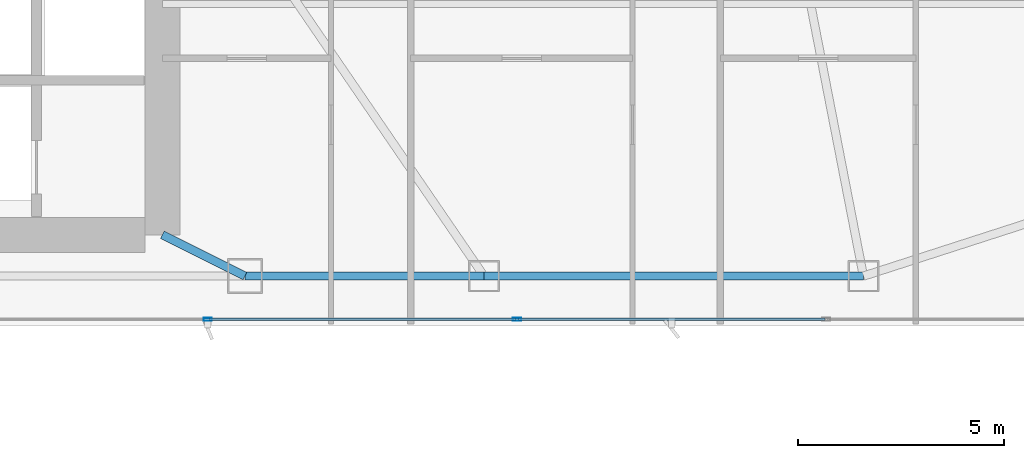
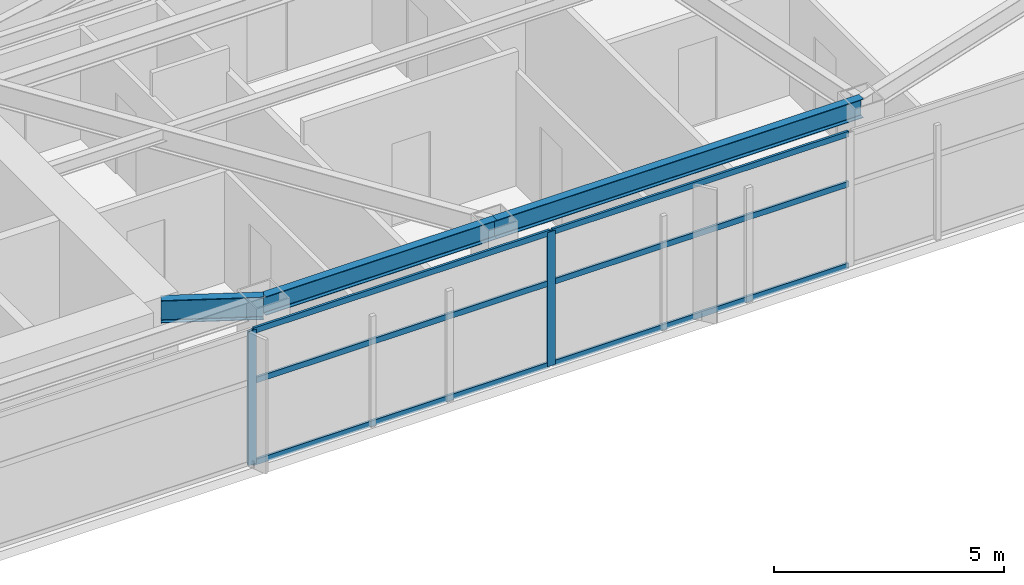
# One storey, part 12 of 28: 8 members, 3 beams, 1 element without a shape of its own.
"""IFC4 building model written with IfcOpenShell, lengths in metres."""

from ifc_helpers import new_model, si_unit, direction, frame, origin, origin_2d, place, context, subcontext, project, spatial, hollow_rectangle, i_section, extrude, material, layer, layer_set, material_profile, profile_set, type_object, element, aggregate, save


model = new_model("IFC4")

# Units and contexts
model_context = context("Model", 3, precision=1e-05, world=origin(), true_north=direction((0.0, 1.0)))
body_context = subcontext(model_context, "Body", "Model", "MODEL_VIEW")
ifc_project = project(units=[si_unit("LENGTHUNIT", "METRE"), si_unit("AREAUNIT", "SQUARE_METRE"), si_unit("VOLUMEUNIT", "CUBIC_METRE"), si_unit("PLANEANGLEUNIT", "RADIAN"), si_unit("MASSUNIT", "GRAM", prefix="KILO")], contexts=[model_context])

# Site, building, storey
site_placement = place(None, origin())
site = spatial("IfcSite", under=ifc_project, at=site_placement, CompositionType="ELEMENT")
building_placement = place(site_placement, origin())
building = spatial("IfcBuilding", under=site, at=building_placement, Name="Calvorn Quay Hotel", CompositionType="ELEMENT")
storey_placement = place(building_placement, frame((0.0, 0.0, 152.300048828125)))
storey = spatial("IfcBuildingStorey", under=building, at=storey_placement, Name="L37", CompositionType="ELEMENT", Elevation=152.300048828125)

# Beams
ifc_material_1 = material(Name="Steel Q355B", Category="steel")
ifc_material_profile_1 = material_profile(ifc_material_1, i_section(OverallWidth=0.199951171875, OverallDepth=0.60009765625, WebThickness=0.010986328125, FlangeThickness=0.01708984375, FilletRadius=0.01806640625, at=origin_2d()), Name="HN600x200x11x17")
ifc_profile_set_1 = profile_set([ifc_material_profile_1], Name="Steel Q355B")
beam_type_1 = type_object("IfcBeamType", Name="BM-GIRD-TYP", PredefinedType="BEAM", material=ifc_profile_set_1)
beam_1_placement = place(storey_placement, frame((34.39990234375, 3.60009765625, 3.239990234375), z_axis=(-0.894427191, 0.4472135955, 0.0), x_axis=(-0.4472135955, -0.894427191, 0.0)))
element("IfcBeam", 1, at=beam_1_placement, inside=storey, type_object=beam_type_1, Name="Beam BG-L37-S3", PredefinedType="BEAM", context=body_context, shape_type="SweptSolid", body=[
    extrude(i_section(OverallWidth=0.199951171875, OverallDepth=0.60009765625, WebThickness=0.010986328125, FlangeThickness=0.01708984375, FilletRadius=0.01806640625, at=origin_2d()), origin(), (0.0, 0.0, 1.0), 2.236083984375),
])
ifc_material_2 = material(Name="Steel Q355B", Category="steel")
ifc_material_profile_2 = material_profile(ifc_material_2, i_section(OverallWidth=0.199951171875, OverallDepth=0.5, WebThickness=0.010009765625, FlangeThickness=0.01611328125, FilletRadius=0.01611328125, at=origin_2d()), Name="HN500x200x10x16")
ifc_profile_set_2 = profile_set([ifc_material_profile_2], Name="Steel Q355B")
beam_type_2 = type_object("IfcBeamType", Name="BM-SPANDREL-Z1", PredefinedType="SPANDREL", material=ifc_profile_set_2)
beam_2_placement = place(storey_placement, frame((34.39990234375, 3.60009765625, 3.2900390625), z_axis=(1.0, 0.0, 0.0), x_axis=(0.0, 1.0, 0.0)))
element("IfcBeam", 2, at=beam_2_placement, inside=storey, type_object=beam_type_2, Name="Beam BSP-L37-S4", PredefinedType="SPANDREL", context=body_context, shape_type="SweptSolid", body=[
    extrude(i_section(OverallWidth=0.199951171875, OverallDepth=0.5, WebThickness=0.010009765625, FlangeThickness=0.01611328125, FilletRadius=0.01611328125, at=origin_2d()), origin(), (0.0, 0.0, 1.0), 5.800048828125),
])
beam_3_placement = place(storey_placement, frame((40.199951171875, 3.60009765625, 3.2900390625), z_axis=(1.0, 0.0, 0.0), x_axis=(0.0, 1.0, 0.0)))
element("IfcBeam", 3, at=beam_3_placement, inside=storey, type_object=beam_type_2, Name="Beam BSP-L37-S5", PredefinedType="SPANDREL", context=body_context, shape_type="SweptSolid", body=[
    extrude(i_section(OverallWidth=0.199951171875, OverallDepth=0.5, WebThickness=0.010009765625, FlangeThickness=0.01611328125, FilletRadius=0.01611328125, at=origin_2d()), origin(), (0.0, 0.0, 1.0), 9.199951171875),
])

# Curtain wall, members
ifc_material_3 = material(Name="Pale Anodised Aluminium and Low-E Glass", Category="aluminium")
ifc_layer = layer(ifc_material_3, 0.219970703125)
ifc_layer_set = layer_set([ifc_layer], Name="CW-SYS-Z2")
curtain_wall_type = type_object("IfcCurtainWallType", Name="CW-SYS-Z2", PredefinedType="NOTDEFINED", material=ifc_layer_set)
curtain_wall_placement = place(storey_placement, origin())
curtain_wall = element("IfcCurtainWall", 4, at=curtain_wall_placement, inside=storey, type_object=curtain_wall_type, Name="Tower South Waterfront Curtain Wall (L37)", PredefinedType="NOTDEFINED")
ifc_material_4 = material(Name="Pale Anodised Aluminium 6063-T6", Category="aluminium")
ifc_material_profile_3 = material_profile(ifc_material_4, hollow_rectangle(XDim=0.070068359375, YDim=0.199951171875, WallThickness=0.00390625, at=origin_2d()), Name="ALU-M200x70x4")
ifc_profile_set_3 = profile_set([ifc_material_profile_3], Name="Pale Anodised Aluminium 6063-T6")
member_type_1 = type_object("IfcMemberType", Name="CW-SYS-Z2-MUL", PredefinedType="MULLION", material=ifc_profile_set_3)
member_1_placement = place(storey_placement, frame((33.5, 2.550048828125, 0.0), z_axis=(0.0, 0.0, 1.0), x_axis=(0.0, 1.0, 0.0)))
member_1 = element("IfcMember", 5, at=member_1_placement, type_object=member_type_1, Name="CW-L37-S mullion 4", PredefinedType="MULLION", context=body_context, shape_type="SweptSolid", body=[
    extrude(hollow_rectangle(XDim=0.070068359375, YDim=0.199951171875, WallThickness=0.00390625, at=origin_2d()), origin(), (0.0, 0.0, 1.0), 3.56005859375),
])
member_2_placement = place(storey_placement, frame((41.0, 2.550048828125, 0.0), z_axis=(0.0, 0.0, 1.0), x_axis=(0.0, 1.0, 0.0)))
member_2 = element("IfcMember", 6, at=member_2_placement, type_object=member_type_1, Name="CW-L37-S mullion 5", PredefinedType="MULLION", context=body_context, shape_type="SweptSolid", body=[
    extrude(hollow_rectangle(XDim=0.070068359375, YDim=0.199951171875, WallThickness=0.00390625, at=origin_2d()), origin(), (0.0, 0.0, 1.0), 3.56005859375),
])
ifc_material_5 = material(Name="Pale Anodised Aluminium 6063-T6", Category="aluminium")
ifc_material_profile_4 = material_profile(ifc_material_5, hollow_rectangle(XDim=0.06005859375, YDim=0.14990234375, WallThickness=0.00341796875, at=origin_2d()), Name="ALU-T150x60x3.5")
ifc_profile_set_4 = profile_set([ifc_material_profile_4], Name="Pale Anodised Aluminium 6063-T6")
member_type_2 = type_object("IfcMemberType", Name="CW-SYS-Z2-TRN", PredefinedType="USERDEFINED", material=ifc_profile_set_4)
member_3_placement = place(storey_placement, frame((33.530029296875, 2.550048828125, 0.030029296875), z_axis=(1.0, 0.0, 0.0), x_axis=(0.0, 1.0, 0.0)))
member_3 = element("IfcMember", 7, at=member_3_placement, type_object=member_type_2, Name="CW-L37-S transom 4.1", ObjectType="TRANSOM", PredefinedType="USERDEFINED", context=body_context, shape_type="SweptSolid", body=[
    extrude(hollow_rectangle(XDim=0.06005859375, YDim=0.14990234375, WallThickness=0.00341796875, at=origin_2d()), origin(), (0.0, 0.0, 1.0), 7.43994140625),
])
member_4_placement = place(storey_placement, frame((33.530029296875, 2.550048828125, 2.199951171875), z_axis=(1.0, 0.0, 0.0), x_axis=(0.0, 1.0, 0.0)))
member_4 = element("IfcMember", 8, at=member_4_placement, type_object=member_type_2, Name="CW-L37-S transom 4.2", ObjectType="TRANSOM", PredefinedType="USERDEFINED", context=body_context, shape_type="SweptSolid", body=[
    extrude(hollow_rectangle(XDim=0.06005859375, YDim=0.14990234375, WallThickness=0.00341796875, at=origin_2d()), origin(), (0.0, 0.0, 1.0), 7.43994140625),
])
member_5_placement = place(storey_placement, frame((33.530029296875, 2.550048828125, 3.530029296875), z_axis=(1.0, 0.0, 0.0), x_axis=(0.0, 1.0, 0.0)))
member_5 = element("IfcMember", 9, at=member_5_placement, type_object=member_type_2, Name="CW-L37-S transom 4.3", ObjectType="TRANSOM", PredefinedType="USERDEFINED", context=body_context, shape_type="SweptSolid", body=[
    extrude(hollow_rectangle(XDim=0.06005859375, YDim=0.14990234375, WallThickness=0.00341796875, at=origin_2d()), origin(), (0.0, 0.0, 1.0), 7.43994140625),
])
member_6_placement = place(storey_placement, frame((41.030029296875, 2.550048828125, 0.030029296875), z_axis=(1.0, 0.0, 0.0), x_axis=(0.0, 1.0, 0.0)))
member_6 = element("IfcMember", 10, at=member_6_placement, type_object=member_type_2, Name="CW-L37-S transom 5.1", ObjectType="TRANSOM", PredefinedType="USERDEFINED", context=body_context, shape_type="SweptSolid", body=[
    extrude(hollow_rectangle(XDim=0.06005859375, YDim=0.14990234375, WallThickness=0.00341796875, at=origin_2d()), origin(), (0.0, 0.0, 1.0), 7.43994140625),
])
member_7_placement = place(storey_placement, frame((41.030029296875, 2.550048828125, 2.199951171875), z_axis=(1.0, 0.0, 0.0), x_axis=(0.0, 1.0, 0.0)))
member_7 = element("IfcMember", 11, at=member_7_placement, type_object=member_type_2, Name="CW-L37-S transom 5.2", ObjectType="TRANSOM", PredefinedType="USERDEFINED", context=body_context, shape_type="SweptSolid", body=[
    extrude(hollow_rectangle(XDim=0.06005859375, YDim=0.14990234375, WallThickness=0.00341796875, at=origin_2d()), origin(), (0.0, 0.0, 1.0), 7.43994140625),
])
member_8_placement = place(storey_placement, frame((41.030029296875, 2.550048828125, 3.530029296875), z_axis=(1.0, 0.0, 0.0), x_axis=(0.0, 1.0, 0.0)))
member_8 = element("IfcMember", 12, at=member_8_placement, type_object=member_type_2, Name="CW-L37-S transom 5.3", ObjectType="TRANSOM", PredefinedType="USERDEFINED", context=body_context, shape_type="SweptSolid", body=[
    extrude(hollow_rectangle(XDim=0.06005859375, YDim=0.14990234375, WallThickness=0.00341796875, at=origin_2d()), origin(), (0.0, 0.0, 1.0), 7.43994140625),
])
aggregate(curtain_wall, [member_1, member_2, member_3, member_4, member_5, member_6, member_7, member_8])

save(model, "model.ifc")
